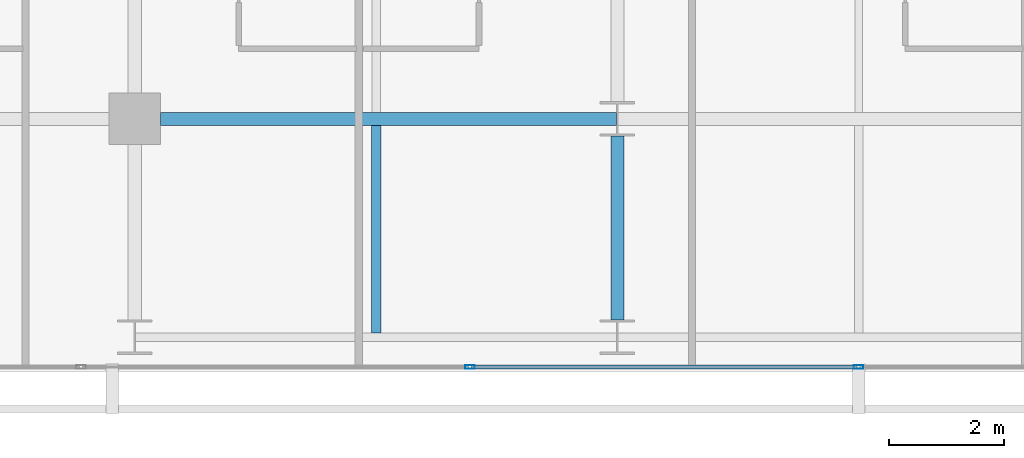
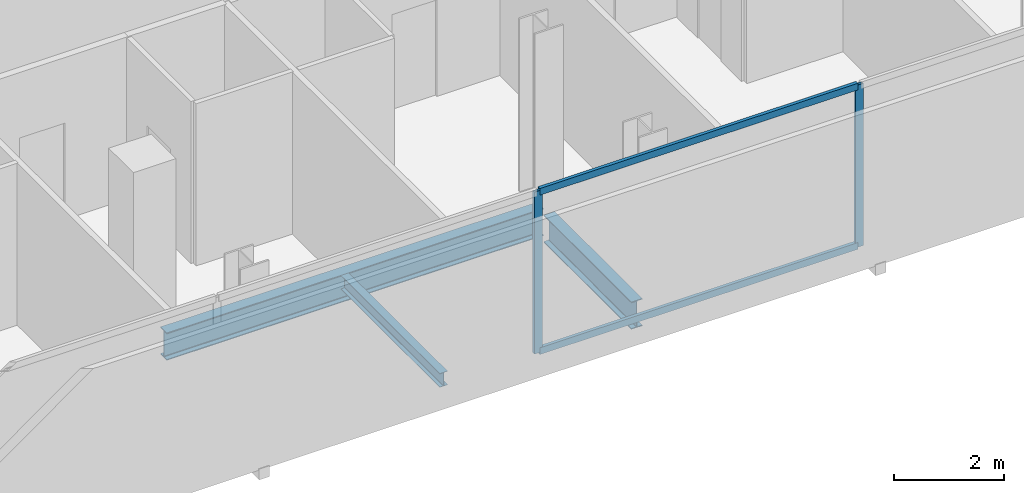
# One storey, part 6 of 34: 4 members, 3 beams, 1 element without a shape of its own.
"""IFC4 building model written with IfcOpenShell, lengths in metres."""

from ifc_helpers import new_model, si_unit, direction, frame, origin, origin_2d, place, context, subcontext, project, spatial, hollow_rectangle, i_section, extrude, material, layer, layer_set, material_profile, profile_set, type_object, element, aggregate, save


model = new_model("IFC4")

# Units and contexts
model_context = context("Model", 3, precision=1e-05, world=origin(), true_north=direction((0.0, 1.0)))
body_context = subcontext(model_context, "Body", "Model", "MODEL_VIEW")
ifc_project = project(units=[si_unit("LENGTHUNIT", "METRE"), si_unit("AREAUNIT", "SQUARE_METRE"), si_unit("VOLUMEUNIT", "CUBIC_METRE"), si_unit("PLANEANGLEUNIT", "RADIAN"), si_unit("MASSUNIT", "GRAM", prefix="KILO")], contexts=[model_context])

# Site, building, storey
site_placement = place(None, origin())
site = spatial("IfcSite", under=ifc_project, at=site_placement, CompositionType="ELEMENT")
building_placement = place(site_placement, origin())
building = spatial("IfcBuilding", under=site, at=building_placement, Name="Maruvema Waterfront Hotel and Observation Tower", CompositionType="ELEMENT")
storey_placement = place(building_placement, frame((0.0, 0.0, 127.39990234375)))
storey = spatial("IfcBuildingStorey", under=building, at=storey_placement, Name="L30", CompositionType="ELEMENT", Elevation=127.39990234375)

# Curtain wall, members
ifc_material_1 = material(Name="Anodised bronze aluminium and solar-control low-E IGU", Category="aluminium")
ifc_layer = layer(ifc_material_1, 0.159912109375, Name="Zone 2 Amber Inner Thermal Curtain Wall System CW-03")
ifc_layer_set = layer_set([ifc_layer], Name="Anodised bronze aluminium and solar-control low-E IGU")
curtain_wall_type = type_object("IfcCurtainWallType", Name="Zone 2 Amber Inner Thermal Curtain Wall System CW-03", PredefinedType="USERDEFINED", material=ifc_layer_set)
curtain_wall_placement = place(storey_placement, origin())
curtain_wall = element("IfcCurtainWall", 1, at=curtain_wall_placement, inside=storey, type_object=curtain_wall_type, Name="L30 Curtain Wall CW-L30-S", ObjectType="UNITISED CURTAIN WALL", PredefinedType="USERDEFINED")
ifc_material_2 = material(Name="Anodised architectural bronze aluminium", Category="aluminium")
ifc_material_profile_1 = material_profile(ifc_material_2, hollow_rectangle(XDim=0.070068359375, YDim=0.14990234375, WallThickness=0.00390625, at=origin_2d()), Name="ALU-T70x150")
ifc_profile_set_1 = profile_set([ifc_material_profile_1], Name="Anodised architectural bronze aluminium")
member_type_1 = type_object("IfcMemberType", Name="Curtain Wall Horizontal Transom ALU-T70x150", PredefinedType="USERDEFINED", material=ifc_profile_set_1)
member_1_placement = place(storey_placement, frame((31.063232421875, 4.679931640625, 0.030029296875), z_axis=(1.0, 0.0, 0.0), x_axis=(0.0, 1.0, 0.0)))
member_1 = element("IfcMember", 2, at=member_1_placement, type_object=member_type_1, Name="CW-03 transom 3.1", ObjectType="TRANSOM", PredefinedType="USERDEFINED", context=body_context, shape_type="SweptSolid", body=[
    extrude(hollow_rectangle(XDim=0.070068359375, YDim=0.14990234375, WallThickness=0.00390625, at=origin_2d()), origin(), (0.0, 0.0, 1.0), 6.706787109375),
])
member_2_placement = place(storey_placement, frame((31.063232421875, 4.679931640625, 3.580078125), z_axis=(1.0, 0.0, 0.0), x_axis=(0.0, 1.0, 0.0)))
member_2 = element("IfcMember", 3, at=member_2_placement, type_object=member_type_1, Name="CW-03 transom 3.2", ObjectType="TRANSOM", PredefinedType="USERDEFINED", context=body_context, shape_type="SweptSolid", body=[
    extrude(hollow_rectangle(XDim=0.070068359375, YDim=0.14990234375, WallThickness=0.00390625, at=origin_2d()), origin(), (0.0, 0.0, 1.0), 6.706787109375),
])
ifc_material_3 = material(Name="Anodised architectural bronze aluminium", Category="aluminium")
ifc_material_profile_2 = material_profile(ifc_material_3, hollow_rectangle(XDim=0.06494140625, YDim=0.1650390625, WallThickness=0.00390625, at=origin_2d()), Name="ALU-M65x165")
ifc_profile_set_2 = profile_set([ifc_material_profile_2], Name="Anodised architectural bronze aluminium")
member_type_2 = type_object("IfcMemberType", Name="Curtain Wall Primary Mullion ALU-M65x165", PredefinedType="MULLION", material=ifc_profile_set_2)
member_3_placement = place(storey_placement, frame((31.033447265625, 4.679931640625, 0.0), z_axis=(0.0, 0.0, 1.0), x_axis=(0.0, 1.0, 0.0)))
member_3 = element("IfcMember", 4, at=member_3_placement, type_object=member_type_2, Name="CW-03 mullion 3", PredefinedType="MULLION", context=body_context, shape_type="SweptSolid", body=[
    extrude(hollow_rectangle(XDim=0.06494140625, YDim=0.1650390625, WallThickness=0.00390625, at=origin_2d()), origin(), (0.0, 0.0, 1.0), 3.610107421875),
])
member_4_placement = place(storey_placement, frame((37.800048828125, 4.679931640625, 0.0), z_axis=(0.0, 0.0, 1.0), x_axis=(0.0, 1.0, 0.0)))
member_4 = element("IfcMember", 5, at=member_4_placement, type_object=member_type_2, Name="CW-03 mullion 4", PredefinedType="MULLION", context=body_context, shape_type="SweptSolid", body=[
    extrude(hollow_rectangle(XDim=0.06494140625, YDim=0.1650390625, WallThickness=0.00390625, at=origin_2d()), origin(), (0.0, 0.0, 1.0), 3.610107421875),
])
aggregate(curtain_wall, [member_3, member_4, member_1, member_2])

# Beams
ifc_material_4 = material(Name="Steel ASTM A572 Grade 50", Category="steel")
ifc_material_profile_3 = material_profile(ifc_material_4, i_section(OverallWidth=0.22900390625, OverallDepth=0.612060546875, WebThickness=0.011962890625, FlangeThickness=0.01953125, FilletRadius=0.01806640625, at=origin_2d()), Name="W610x125.0")
ifc_profile_set_3 = profile_set([ifc_material_profile_3], Name="Steel ASTM A572 Grade 50")
beam_type_1 = type_object("IfcBeamType", Name="Primary Floor Girder W610x125.0", PredefinedType="BEAM", material=ifc_profile_set_3)
beam_1_placement = place(storey_placement, frame((25.64990234375, 9.0, -0.5458984375), z_axis=(1.0, 0.0, 0.0), x_axis=(0.0, 1.0, 0.0)))
element("IfcBeam", 6, at=beam_1_placement, inside=storey, type_object=beam_type_1, Name="L30 Floor Girder EW-06", PredefinedType="BEAM", context=body_context, shape_type="SweptSolid", body=[
    extrude(i_section(OverallWidth=0.22900390625, OverallDepth=0.612060546875, WebThickness=0.011962890625, FlangeThickness=0.01953125, FilletRadius=0.01806640625, at=origin_2d()), origin(), (0.0, 0.0, 1.0), 7.9375),
])
beam_2_placement = place(storey_placement, frame((33.60009765625, 5.5, -0.5458984375), z_axis=(0.0, 1.0, 0.0), x_axis=(-1.0, 0.0, 0.0)))
element("IfcBeam", 7, at=beam_2_placement, inside=storey, type_object=beam_type_1, Name="L30 Floor Girder NS-14", PredefinedType="BEAM", context=body_context, shape_type="SweptSolid", body=[
    extrude(i_section(OverallWidth=0.22900390625, OverallDepth=0.612060546875, WebThickness=0.011962890625, FlangeThickness=0.01953125, FilletRadius=0.01806640625, at=origin_2d()), origin(), (0.0, 0.0, 1.0), 3.199951171875),
])
ifc_material_5 = material(Name="Steel ASTM A572 Grade 50", Category="steel")
ifc_material_profile_4 = material_profile(ifc_material_5, i_section(OverallWidth=0.1650390625, OverallDepth=0.31005859375, WebThickness=0.005859375, FlangeThickness=0.009765625, FilletRadius=0.012939453125, at=origin_2d()), Name="W310x38.7")
ifc_profile_set_4 = profile_set([ifc_material_profile_4], Name="Steel ASTM A572 Grade 50")
beam_type_2 = type_object("IfcBeamType", Name="Secondary Floor Joist W310x38.7", PredefinedType="JOIST", material=ifc_profile_set_4)
beam_3_placement = place(storey_placement, frame((29.39990234375, 5.276611328125, -0.39501953125), z_axis=(0.0, 1.0, 0.0), x_axis=(-1.0, 0.0, 0.0)))
element("IfcBeam", 8, at=beam_3_placement, inside=storey, type_object=beam_type_2, Name="L30 Secondary Floor Joist JS-05", PredefinedType="JOIST", context=body_context, shape_type="SweptSolid", body=[
    extrude(i_section(OverallWidth=0.1650390625, OverallDepth=0.31005859375, WebThickness=0.005859375, FlangeThickness=0.009765625, FilletRadius=0.012939453125, at=origin_2d()), origin(), (0.0, 0.0, 1.0), 3.60888671875),
])

save(model, "model.ifc")
